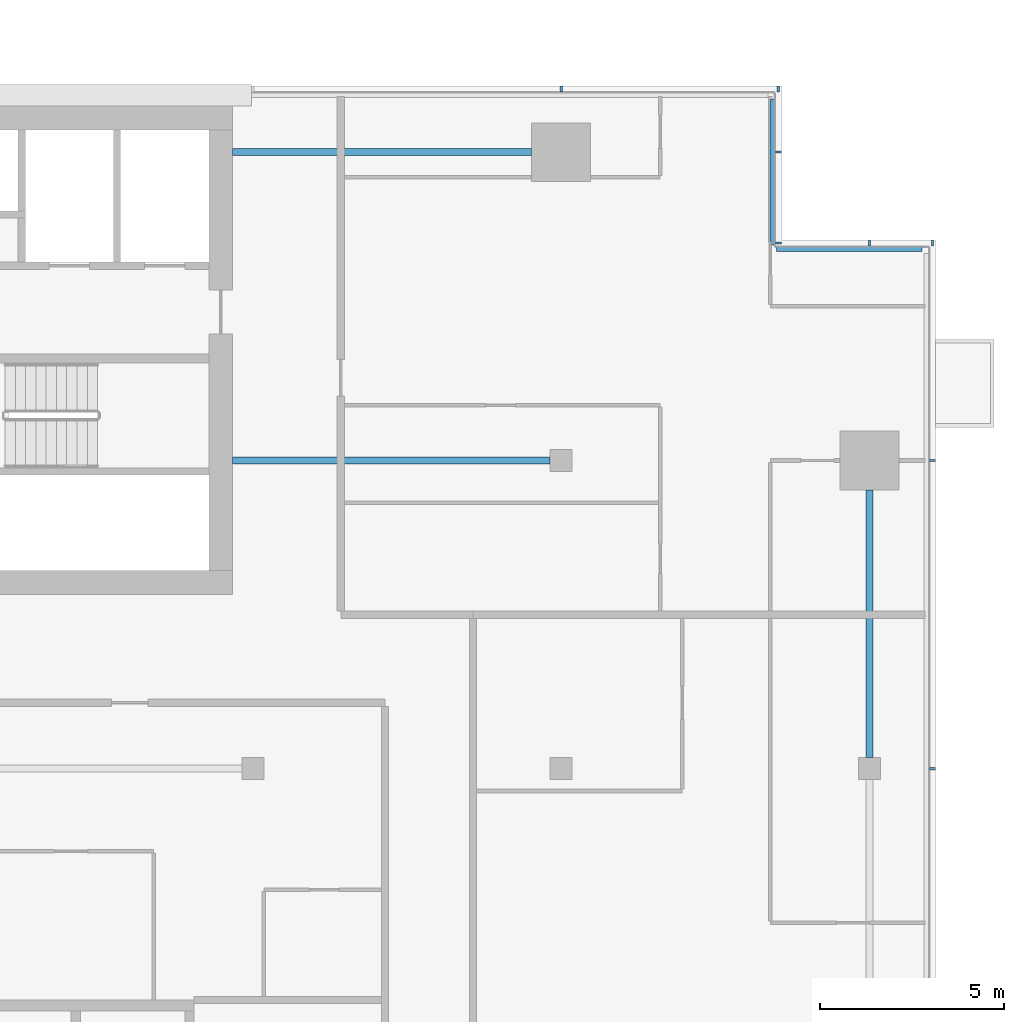
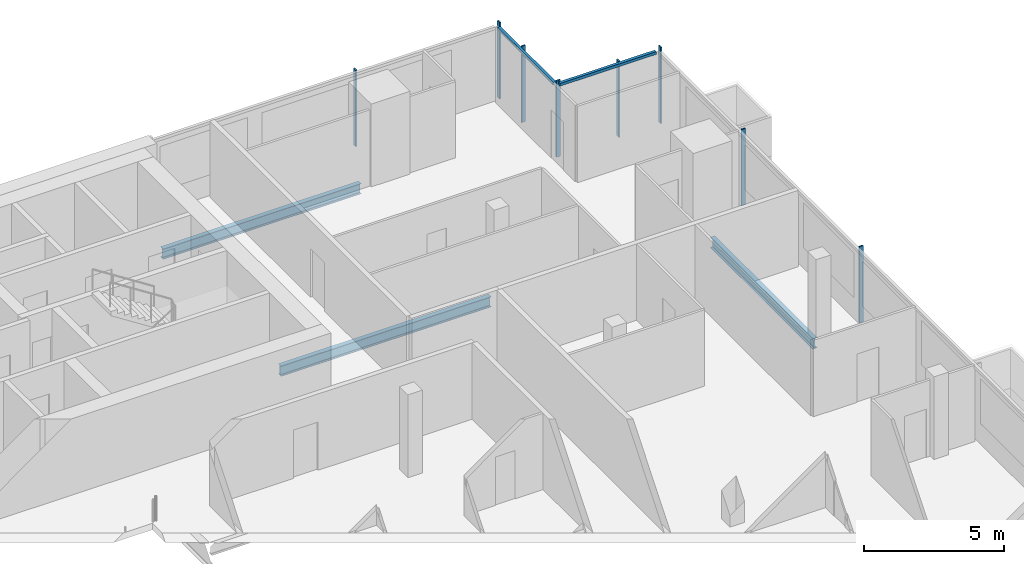
# One storey, part 13 of 27: 10 members, 3 beams, 4 elements without a shape of their own.
"""IFC4 building model written with IfcOpenShell, lengths in metres."""

from ifc_helpers import new_model, si_unit, direction, frame, origin, origin_2d, place, context, subcontext, project, spatial, rectangle, i_section, extrude, material, material_profile, profile_set, type_object, element, aggregate, save


model = new_model("IFC4")

# Units and contexts
model_context = context("Model", 3, precision=1e-05, world=origin(), true_north=direction((0.0, 1.0)))
body_context = subcontext(model_context, "Body", "Model", "MODEL_VIEW")
ifc_project = project(units=[si_unit("LENGTHUNIT", "METRE"), si_unit("AREAUNIT", "SQUARE_METRE"), si_unit("VOLUMEUNIT", "CUBIC_METRE"), si_unit("PLANEANGLEUNIT", "RADIAN"), si_unit("MASSUNIT", "GRAM", prefix="KILO")], contexts=[model_context])

# Site, building, storey
site_placement = place(None, origin())
site = spatial("IfcSite", under=ifc_project, at=site_placement, CompositionType="ELEMENT")
building_placement = place(site_placement, origin())
building = spatial("IfcBuilding", under=site, at=building_placement, Name="Saffron Gate Tower", CompositionType="ELEMENT")
storey_placement = place(building_placement, frame((0.0, 0.0, 234.300048828125)))
storey = spatial("IfcBuildingStorey", under=building, at=storey_placement, Name="L57", CompositionType="ELEMENT", Elevation=234.300048828125)

# Beams
ifc_material_1 = material(Name="Structural steel S355", Category="steel")
ifc_material_profile_1 = material_profile(ifc_material_1, i_section(OverallWidth=0.18994140625, OverallDepth=0.449951171875, WebThickness=0.009521484375, FlangeThickness=0.0146484375, FilletRadius=0.02099609375, at=origin_2d()))
ifc_profile_set_1 = profile_set([ifc_material_profile_1], Name="Structural steel S355")
beam_type_1 = type_object("IfcBeamType", Name="B6 IPE 450", PredefinedType="BEAM", material=ifc_profile_set_1)
beam_1_placement = place(storey_placement, frame((116.699951171875, 65.39990234375, -0.505126953125), z_axis=(-1.0, 0.0, 0.0), x_axis=(0.0, -1.0, 0.0)))
element("IfcBeam", 1, at=beam_1_placement, inside=storey, type_object=beam_type_1, Name="B6 CORE TIE BEAM", PredefinedType="BEAM", context=body_context, shape_type="SweptSolid", body=[
    extrude(i_section(OverallWidth=0.18994140625, OverallDepth=0.449951171875, WebThickness=0.009521484375, FlangeThickness=0.0146484375, FilletRadius=0.02099609375, at=origin_2d()), origin(), (0.0, 0.0, 1.0), 8.64990234375),
])
beam_2_placement = place(storey_placement, frame((116.199951171875, 73.800048828125, -0.505126953125), z_axis=(-1.0, 0.0, 0.0), x_axis=(0.0, -1.0, 0.0)))
element("IfcBeam", 2, at=beam_2_placement, inside=storey, type_object=beam_type_1, Name="B6 CORE TIE BEAM", PredefinedType="BEAM", context=body_context, shape_type="SweptSolid", body=[
    extrude(i_section(OverallWidth=0.18994140625, OverallDepth=0.449951171875, WebThickness=0.009521484375, FlangeThickness=0.0146484375, FilletRadius=0.02099609375, at=origin_2d()), origin(), (0.0, 0.0, 1.0), 8.14990234375),
])
ifc_material_profile_2 = material_profile(ifc_material_1, i_section(OverallWidth=0.18994140625, OverallDepth=0.449951171875, WebThickness=0.009521484375, FlangeThickness=0.0146484375, FilletRadius=0.02099609375, at=origin_2d()))
ifc_profile_set_2 = profile_set([ifc_material_profile_2], Name="Structural steel S355")
beam_type_2 = type_object("IfcBeamType", Name="B7 IPE 450", PredefinedType="SPANDREL", material=ifc_profile_set_2)
beam_3_placement = place(storey_placement, frame((125.39990234375, 57.300048828125, -0.505126953125), z_axis=(0.0, 1.0, 0.0), x_axis=(-1.0, 0.0, 0.0)))
element("IfcBeam", 3, at=beam_3_placement, inside=storey, type_object=beam_type_2, Name="B7 SPANDREL BEAM", PredefinedType="SPANDREL", context=body_context, shape_type="SweptSolid", body=[
    extrude(i_section(OverallWidth=0.18994140625, OverallDepth=0.449951171875, WebThickness=0.009521484375, FlangeThickness=0.0146484375, FilletRadius=0.02099609375, at=origin_2d()), origin(), (0.0, 0.0, 1.0), 7.300048828125),
])

# Curtain wall, members
ifc_material_2 = material(Name="Aluminium, bronze anodised", Category="aluminium")
curtain_wall_type_1 = type_object("IfcCurtainWallType", Name="CWS2 curtain wall side facades", PredefinedType="NOTDEFINED", material=ifc_material_2)
curtain_wall_1_placement = place(storey_placement, origin())
curtain_wall_1 = element("IfcCurtainWall", 4, at=curtain_wall_1_placement, inside=storey, type_object=curtain_wall_type_1, Name="CWS2 run 4", PredefinedType="NOTDEFINED")
ifc_material_profile_3 = material_profile(ifc_material_2, rectangle(XDim=0.159912109375, YDim=0.06005859375, at=origin_2d()))
ifc_profile_set_3 = profile_set([ifc_material_profile_3], Name="Aluminium, bronze anodised")
member_type_1 = type_object("IfcMemberType", Name="CWS2 mullion 60x160", PredefinedType="MULLION", material=ifc_profile_set_3)
member_1_placement = place(storey_placement, frame((127.1201171875, 57.0, 0.0), z_axis=(0.0, 0.0, 1.0), x_axis=(-1.0, 0.0, 0.0)))
member_1 = element("IfcMember", 5, at=member_1_placement, type_object=member_type_1, Name="CWS2 mullion 4", PredefinedType="MULLION", context=body_context, shape_type="SweptSolid", body=[
    extrude(rectangle(XDim=0.159912109375, YDim=0.06005859375, at=origin_2d()), origin(), (0.0, 0.0, 1.0), 3.320068359375),
])
member_2_placement = place(storey_placement, frame((127.1201171875, 65.39990234375, 0.0), z_axis=(0.0, 0.0, 1.0), x_axis=(-1.0, 0.0, 0.0)))
member_2 = element("IfcMember", 6, at=member_2_placement, type_object=member_type_1, Name="CWS2 mullion 5", PredefinedType="MULLION", context=body_context, shape_type="SweptSolid", body=[
    extrude(rectangle(XDim=0.159912109375, YDim=0.06005859375, at=origin_2d()), origin(), (0.0, 0.0, 1.0), 3.320068359375),
])
aggregate(curtain_wall_1, [member_1, member_2])

curtain_wall_type_2 = type_object("IfcCurtainWallType", Name="CWS3 curtain wall rear facade", PredefinedType="NOTDEFINED", material=ifc_material_2)
curtain_wall_2_placement = place(storey_placement, origin())
curtain_wall_2 = element("IfcCurtainWall", 7, at=curtain_wall_2_placement, inside=storey, type_object=curtain_wall_type_2, Name="CWS3 run 7", PredefinedType="NOTDEFINED")
ifc_material_profile_4 = material_profile(ifc_material_2, rectangle(XDim=0.159912109375, YDim=0.070068359375, at=origin_2d()))
ifc_profile_set_4 = profile_set([ifc_material_profile_4], Name="Aluminium, bronze anodised")
member_type_2 = type_object("IfcMemberType", Name="CWS3 mullion 70x160", PredefinedType="MULLION", material=ifc_profile_set_4)
member_3_placement = place(storey_placement, frame((122.919921875, 75.52001953125, 0.0), z_axis=(0.0, 0.0, 1.0), x_axis=(0.0, -1.0, 0.0)))
member_3 = element("IfcMember", 8, at=member_3_placement, type_object=member_type_2, Name="CWS3 mullion 1", PredefinedType="MULLION", context=body_context, shape_type="SweptSolid", body=[
    extrude(rectangle(XDim=0.159912109375, YDim=0.070068359375, at=origin_2d()), origin(), (0.0, 0.0, 1.0), 3.320068359375),
])
member_4_placement = place(storey_placement, frame((117.0, 75.52001953125, 0.0), z_axis=(0.0, 0.0, 1.0), x_axis=(0.0, -1.0, 0.0)))
member_4 = element("IfcMember", 9, at=member_4_placement, type_object=member_type_2, Name="CWS3 mullion 2", PredefinedType="MULLION", context=body_context, shape_type="SweptSolid", body=[
    extrude(rectangle(XDim=0.159912109375, YDim=0.070068359375, at=origin_2d()), origin(), (0.0, 0.0, 1.0), 3.320068359375),
])
aggregate(curtain_wall_2, [member_3, member_4])

# Curtain wall, member
curtain_wall_type_3 = type_object("IfcCurtainWallType", Name="CWS4 curtain wall corner returns", PredefinedType="NOTDEFINED", material=ifc_material_2)
curtain_wall_3_placement = place(storey_placement, origin())
curtain_wall_3 = element("IfcCurtainWall", 10, at=curtain_wall_3_placement, inside=storey, type_object=curtain_wall_type_3, Name="CWS4 run 5", PredefinedType="NOTDEFINED")
ifc_material_profile_5 = material_profile(ifc_material_2, rectangle(XDim=0.1201171875, YDim=0.1201171875, at=origin_2d()))
ifc_profile_set_5 = profile_set([ifc_material_profile_5], Name="Aluminium, bronze anodised")
member_type_3 = type_object("IfcMemberType", Name="CWS4 head transom", PredefinedType="USERDEFINED", material=ifc_profile_set_5)
member_5_placement = place(storey_placement, frame((126.83203125, 71.152099609375, 3.260009765625), z_axis=(-1.0, 0.0, 0.0), x_axis=(0.0, -1.0, 0.0)))
member_5 = element("IfcMember", 11, at=member_5_placement, type_object=member_type_3, Name="CWS4 head transom", ObjectType="TRANSOM", PredefinedType="USERDEFINED", context=body_context, shape_type="SweptSolid", body=[
    extrude(rectangle(XDim=0.1201171875, YDim=0.1201171875, at=origin_2d()), origin(), (0.0, 0.0, 1.0), 3.9599609375),
])

curtain_wall_4_placement = place(storey_placement, origin())
curtain_wall_4 = element("IfcCurtainWall", 12, at=curtain_wall_4_placement, inside=storey, type_object=curtain_wall_type_3, Name="CWS4 run 6", PredefinedType="NOTDEFINED")
member_6_placement = place(storey_placement, frame((122.751953125, 71.27197265625, 3.260009765625), z_axis=(0.0, 1.0, 0.0), x_axis=(-1.0, 0.0, 0.0)))
member_6 = element("IfcMember", 13, at=member_6_placement, type_object=member_type_3, Name="CWS4 head transom", ObjectType="TRANSOM", PredefinedType="USERDEFINED", context=body_context, shape_type="SweptSolid", body=[
    extrude(rectangle(XDim=0.1201171875, YDim=0.1201171875, at=origin_2d()), origin(), (0.0, 0.0, 1.0), 3.9599609375),
])

# Member
ifc_material_profile_6 = material_profile(ifc_material_2, rectangle(XDim=0.159912109375, YDim=0.06005859375, at=origin_2d()))
ifc_profile_set_6 = profile_set([ifc_material_profile_6], Name="Aluminium, bronze anodised")
member_type_4 = type_object("IfcMemberType", Name="CWS4 mullion 60x160", PredefinedType="MULLION", material=ifc_profile_set_6)
member_7_placement = place(storey_placement, frame((127.1201171875, 71.320068359375, 0.0), z_axis=(0.0, 0.0, 1.0), x_axis=(0.0, -1.0, 0.0)))
member_7 = element("IfcMember", 14, at=member_7_placement, type_object=member_type_4, Name="CWS4 mullion 1", PredefinedType="MULLION", context=body_context, shape_type="SweptSolid", body=[
    extrude(rectangle(XDim=0.159912109375, YDim=0.06005859375, at=origin_2d()), origin(), (0.0, 0.0, 1.0), 3.320068359375),
])

member_8_placement = place(storey_placement, frame((125.39990234375, 71.320068359375, 0.0), z_axis=(0.0, 0.0, 1.0), x_axis=(0.0, -1.0, 0.0)))
member_8 = element("IfcMember", 15, at=member_8_placement, type_object=member_type_4, Name="CWS4 mullion 2", PredefinedType="MULLION", context=body_context, shape_type="SweptSolid", body=[
    extrude(rectangle(XDim=0.159912109375, YDim=0.06005859375, at=origin_2d()), origin(), (0.0, 0.0, 1.0), 3.320068359375),
])

aggregate(curtain_wall_3, [member_7, member_8, member_5])

member_9_placement = place(storey_placement, frame((122.919921875, 71.320068359375, 0.0), z_axis=(0.0, 0.0, 1.0), x_axis=(-1.0, 0.0, 0.0)))
member_9 = element("IfcMember", 16, at=member_9_placement, type_object=member_type_4, Name="CWS4 mullion 1", PredefinedType="MULLION", context=body_context, shape_type="SweptSolid", body=[
    extrude(rectangle(XDim=0.159912109375, YDim=0.06005859375, at=origin_2d()), origin(), (0.0, 0.0, 1.0), 3.320068359375),
])

member_10_placement = place(storey_placement, frame((122.919921875, 73.800048828125, 0.0), z_axis=(0.0, 0.0, 1.0), x_axis=(-1.0, 0.0, 0.0)))
member_10 = element("IfcMember", 17, at=member_10_placement, type_object=member_type_4, Name="CWS4 mullion 2", PredefinedType="MULLION", context=body_context, shape_type="SweptSolid", body=[
    extrude(rectangle(XDim=0.159912109375, YDim=0.06005859375, at=origin_2d()), origin(), (0.0, 0.0, 1.0), 3.320068359375),
])

aggregate(curtain_wall_4, [member_9, member_10, member_6])

save(model, "model.ifc")
